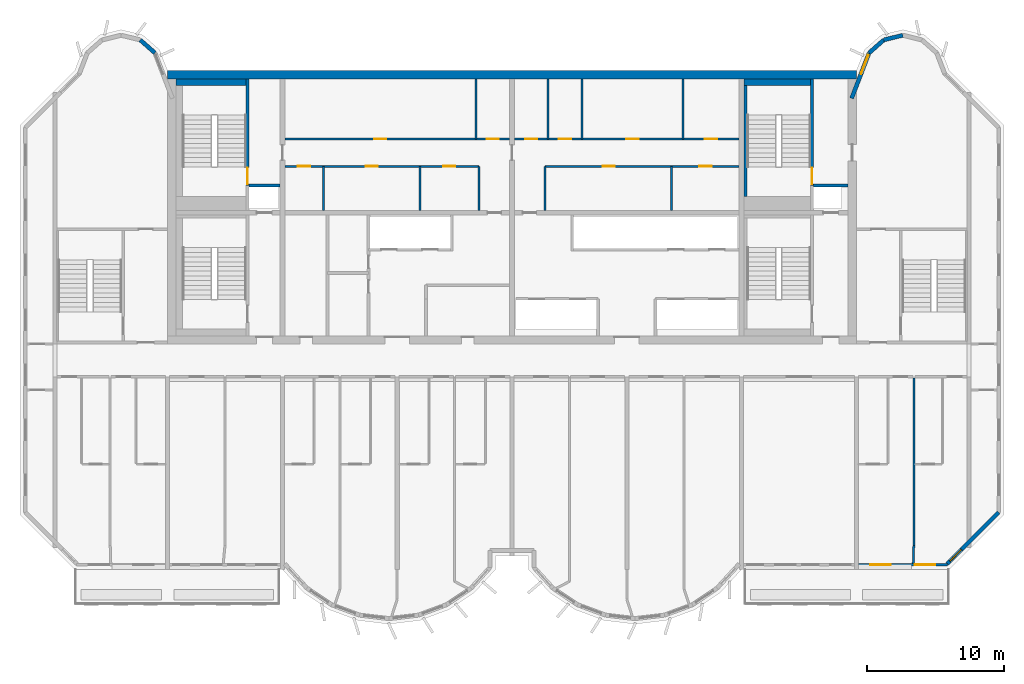
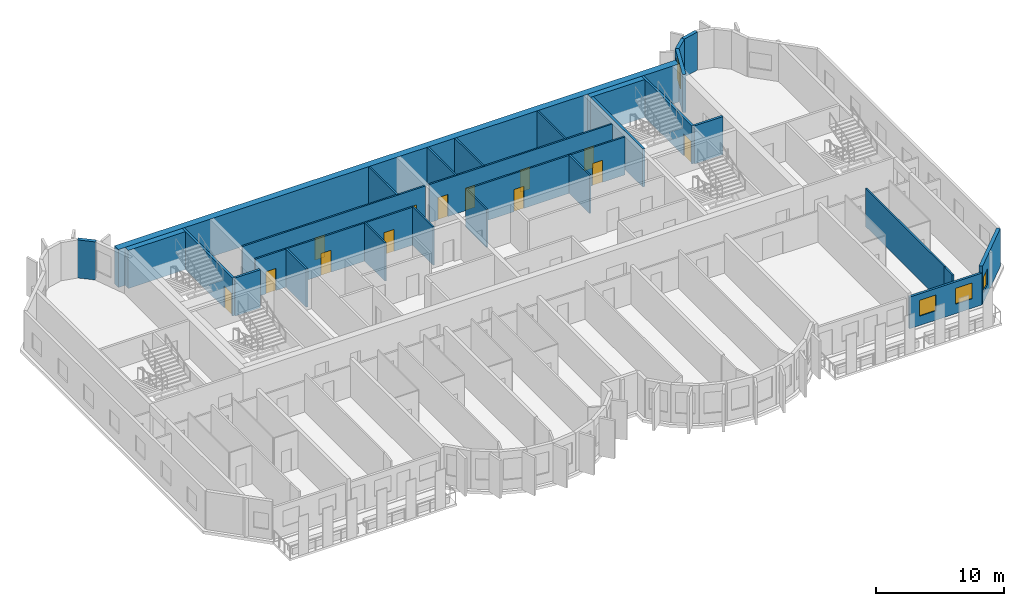
# One storey, part 7 of 11: 29 walls, 13 doors, 4 windows, 17 openings.
"""IFC4 building model written with IfcOpenShell, lengths in metres."""

from ifc_helpers import new_model, si_unit, direction, frame, frame_2d, origin, place, context, subcontext, project, spatial, rectangle, extrude, source, transform, mapped, material, layer, layer_set, type_object, element, fill, save


model = new_model("IFC4")

# Units and contexts
model_context = context("Model", 3, precision=1e-05, world=origin(), true_north=direction((0.0, 1.0)))
body_context = subcontext(model_context, "Body", "Model", "MODEL_VIEW")
ifc_project = project(units=[si_unit("LENGTHUNIT", "METRE"), si_unit("AREAUNIT", "SQUARE_METRE"), si_unit("VOLUMEUNIT", "CUBIC_METRE"), si_unit("PLANEANGLEUNIT", "RADIAN"), si_unit("MASSUNIT", "GRAM", prefix="KILO")], contexts=[model_context])

# Site, building, storey
site_placement = place(None, origin())
site = spatial("IfcSite", under=ifc_project, at=site_placement, CompositionType="ELEMENT")
building_placement = place(site_placement, origin())
building = spatial("IfcBuilding", under=site, at=building_placement, Name="Vanashikhar Sky Hotel", CompositionType="ELEMENT")
storey_placement = place(building_placement, frame((0.0, 0.0, 245.199951171875)))
storey = spatial("IfcBuildingStorey", under=building, at=storey_placement, Name="L59", CompositionType="ELEMENT", Elevation=245.199951171875)

# Wall
ifc_material_1 = material(Name="Concrete M60", Category="concrete")
ifc_layer_1 = layer(ifc_material_1, 0.60009765625)
ifc_layer_set_1 = layer_set([ifc_layer_1], Name="RC core shell wall 600 Concrete M60")
wall_type_1 = type_object("IfcWallType", Name="RC core shell wall 600 Concrete M60", PredefinedType="SHEAR", material=ifc_layer_set_1)
shared_shape_1 = source(origin(), body_context, "Body", "SweptSolid", [
    extrude(rectangle(XDim=50.400146484375, YDim=0.60009765625, at=frame_2d((25.2001953125, 0.0))), origin(), (0.0, 0.0, 1.0), 3.6201171875),
])
wall_1_placement = place(storey_placement, frame((25.199951171875, 41.699951171875, 0.0), z_axis=(0.0, 0.0, 1.0), x_axis=(1.0, 0.0, 0.0)))
element("IfcWall", 1, at=wall_1_placement, inside=storey, type_object=wall_type_1, Name="KW-L59-KN", PredefinedType="SHEAR", context=body_context, shape_type="MappedRepresentation", body=[
    mapped(shared_shape_1, transform((0.0, 0.0, 0.0), scale=1.0)),
])

# Wall, openings, windows
ifc_material_2 = material(Name="Concrete M50", Category="concrete")
ifc_layer_2 = layer(ifc_material_2, 0.199951171875)
ifc_layer_set_2 = layer_set([ifc_layer_2], Name="Front window wall 200")
wall_type_2 = type_object("IfcWallType", Name="Front window wall 200", PredefinedType="SOLIDWALL", material=ifc_layer_set_2)
shared_shape_2 = source(origin(), body_context, "Body", "SweptSolid", [
    extrude(rectangle(XDim=6.5048828125, YDim=0.199951171875, at=frame_2d((3.25244140625, 0.0))), origin(), (0.0, 0.0, 1.0), 3.02001953125),
])
wall_2_placement = place(storey_placement, frame((75.75, 5.85009765625, 0.0), z_axis=(0.0, 0.0, 1.0), x_axis=(1.0, 0.0, 0.0)))
wall_2 = element("IfcWall", 2, at=wall_2_placement, inside=storey, type_object=wall_type_2, Name="Front window wall", PredefinedType="SOLIDWALL", context=body_context, shape_type="MappedRepresentation", body=[
    mapped(shared_shape_2, transform((0.0, 0.0, 0.0), scale=1.0)),
])
shared_shape_3 = source(origin(), body_context, "Body", "SweptSolid", [
    extrude(rectangle(XDim=1.5, YDim=1.5, at=frame_2d((0.75, 0.75))), frame((0.0, 0.10986328125, 0.0), z_axis=(0.0, -1.0, 0.0), x_axis=(1.0, 0.0, 0.0)), (0.0, 0.0, 1.0), 0.219970703125),
])
opening_1_placement = place(wall_2_placement, frame((0.876220703125, 0.0, 0.89990234375)))
opening_1 = element("IfcOpeningElement", 3, at=opening_1_placement, cuts=wall_2, Name="Opening WN-1", PredefinedType="OPENING", context=body_context, shape_type="MappedRepresentation", body=[
    mapped(shared_shape_3, transform((0.0, 0.0, 0.0), scale=1.0)),
])
opening_2_placement = place(wall_2_placement, frame((4.128662109375, 0.0, 0.89990234375)))
opening_2 = element("IfcOpeningElement", 4, at=opening_2_placement, cuts=wall_2, Name="Opening WN-1", PredefinedType="OPENING", context=body_context, shape_type="MappedRepresentation", body=[
    mapped(shared_shape_3, transform((0.0, 0.0, 0.0), scale=1.0)),
])
ifc_material_3 = material(Name="Glass", Category="glass")
window_type_1 = type_object("IfcWindowType", Name="Window 1500 x 1500", PartitioningType="SINGLE_PANEL", PredefinedType="WINDOW", material=ifc_material_3)
shared_shape_4 = source(origin(), body_context, "Body", "SweptSolid", [
    extrude(rectangle(XDim=1.5, YDim=1.5, at=frame_2d((0.75, 0.75))), frame((0.0, 0.030029296875, 0.0), z_axis=(0.0, -1.0, 0.0), x_axis=(1.0, 0.0, 0.0)), (0.0, 0.0, 1.0), 0.06005859375),
])
window_1_placement = place(opening_1_placement, origin())
window_1 = element("IfcWindow", 5, at=window_1_placement, inside=storey, type_object=window_type_1, Name="Window WN-1", OverallHeight=1.5, OverallWidth=1.5, PartitioningType="SINGLE_PANEL", PredefinedType="WINDOW", context=body_context, shape_type="MappedRepresentation", body=[
    mapped(shared_shape_4, transform((0.0, 0.0, 0.0), scale=1.0)),
])
fill(opening_1, window_1)
window_2_placement = place(opening_2_placement, origin())
window_2 = element("IfcWindow", 6, at=window_2_placement, inside=storey, type_object=window_type_1, Name="Window WN-1", OverallHeight=1.5, OverallWidth=1.5, PartitioningType="SINGLE_PANEL", PredefinedType="WINDOW", context=body_context, shape_type="MappedRepresentation", body=[
    mapped(shared_shape_4, transform((0.0, 0.0, 0.0), scale=1.0)),
])
fill(opening_2, window_2)

# Wall, opening, window
ifc_layer_3 = layer(ifc_material_2, 0.300048828125)
ifc_layer_set_3 = layer_set([ifc_layer_3], Name="Lobe wall 300")
wall_type_3 = type_object("IfcWallType", Name="Lobe wall 300", PredefinedType="SOLIDWALL", material=ifc_layer_set_3)
shared_shape_5 = source(origin(), body_context, "Body", "SweptSolid", [
    extrude(rectangle(XDim=5.32568359375, YDim=0.300048828125, at=frame_2d((2.662841796875, 0.0))), origin(), (0.0, 0.0, 1.0), 3.6201171875),
])
wall_3_placement = place(storey_placement, frame((82.234375, 5.89990234375, 0.0), z_axis=(0.0, 0.0, 1.0), x_axis=(0.707083859269, 0.707129702361, 0.0)))
wall_3 = element("IfcWall", 7, at=wall_3_placement, inside=storey, type_object=wall_type_3, Name="Corner wall", PredefinedType="SOLIDWALL", context=body_context, shape_type="MappedRepresentation", body=[
    mapped(shared_shape_5, transform((0.0, 0.0, 0.0), scale=1.0)),
])
shared_shape_6 = source(origin(), body_context, "Body", "SweptSolid", [
    extrude(rectangle(XDim=1.199951171875, YDim=1.5, at=frame_2d((0.60009765625, 0.75))), frame((0.0, 0.16015625, 0.0), z_axis=(0.0, -1.0, 0.0), x_axis=(1.0, 0.0, 0.0)), (0.0, 0.0, 1.0), 0.320068359375),
])
opening_3_placement = place(wall_3_placement, frame((0.29248046875, 0.0, 0.89990234375)))
opening_3 = element("IfcOpeningElement", 8, at=opening_3_placement, cuts=wall_3, Name="Opening WN-3", PredefinedType="OPENING", context=body_context, shape_type="MappedRepresentation", body=[
    mapped(shared_shape_6, transform((0.0, 0.0, 0.0), scale=1.0)),
])
window_type_2 = type_object("IfcWindowType", Name="Corridor end window 1200 x 1500", PartitioningType="SINGLE_PANEL", PredefinedType="WINDOW", material=ifc_material_3)
shared_shape_7 = source(origin(), body_context, "Body", "SweptSolid", [
    extrude(rectangle(XDim=1.199951171875, YDim=1.5, at=frame_2d((0.60009765625, 0.75))), frame((0.0, 0.030029296875, 0.0), z_axis=(0.0, -1.0, 0.0), x_axis=(1.0, 0.0, 0.0)), (0.0, 0.0, 1.0), 0.06005859375),
])
window_3_placement = place(opening_3_placement, origin())
window_3 = element("IfcWindow", 9, at=window_3_placement, inside=storey, type_object=window_type_2, Name="Window WN-3", OverallHeight=1.5, OverallWidth=1.199951171875, PartitioningType="SINGLE_PANEL", PredefinedType="WINDOW", context=body_context, shape_type="MappedRepresentation", body=[
    mapped(shared_shape_7, transform((0.0, 0.0, 0.0), scale=1.0)),
])
fill(opening_3, window_3)

# Walls
shared_shape_8 = source(origin(), body_context, "Body", "SweptSolid", [
    extrude(rectangle(XDim=1.43994140625, YDim=0.300048828125, at=frame_2d((0.719970703125, 0.0))), origin(), (0.0, 0.0, 1.0), 3.6201171875),
])
wall_4_placement = place(storey_placement, frame((77.602783203125, 44.2451171875, 0.0), z_axis=(0.0, 0.0, 1.0), x_axis=(-0.74957555648, -0.661918790432, 0.0)))
element("IfcWall", 10, at=wall_4_placement, inside=storey, type_object=wall_type_3, Name="Lobe wall", PredefinedType="SOLIDWALL", context=body_context, shape_type="MappedRepresentation", body=[
    mapped(shared_shape_8, transform((0.0, 0.0, 0.0), scale=1.0)),
])
shared_shape_9 = source(origin(), body_context, "Body", "SweptSolid", [
    extrude(rectangle(XDim=1.438720703125, YDim=0.300048828125, at=frame_2d((0.71923828125, 0.0))), origin(), (0.0, 0.0, 1.0), 3.6201171875),
])
wall_5_placement = place(storey_placement, frame((79.0, 44.588134765625, 0.0), z_axis=(0.0, 0.0, 1.0), x_axis=(-0.971161932466, -0.238420848351, 0.0)))
element("IfcWall", 11, at=wall_5_placement, inside=storey, type_object=wall_type_3, Name="Lobe wall", PredefinedType="SOLIDWALL", context=body_context, shape_type="MappedRepresentation", body=[
    mapped(shared_shape_9, transform((0.0, 0.0, 0.0), scale=1.0)),
])

# Wall, opening, window
shared_shape_10 = source(origin(), body_context, "Body", "SweptSolid", [
    extrude(rectangle(XDim=3.55908203125, YDim=0.300048828125, at=frame_2d((1.779541015625, 0.0))), origin(), (0.0, 0.0, 1.0), 3.6201171875),
])
wall_6_placement = place(storey_placement, frame((76.5234375, 43.2919921875, 0.0), z_axis=(0.0, 0.0, 1.0), x_axis=(-0.35779745313, -0.933799219604, 0.0)))
wall_6 = element("IfcWall", 12, at=wall_6_placement, inside=storey, type_object=wall_type_3, Name="Lobe wall", PredefinedType="SOLIDWALL", context=body_context, shape_type="MappedRepresentation", body=[
    mapped(shared_shape_10, transform((0.0, 0.0, 0.0), scale=1.0)),
])
shared_shape_11 = source(origin(), body_context, "Body", "SweptSolid", [
    extrude(rectangle(XDim=1.5, YDim=2.0, at=frame_2d((0.75, 1.0))), frame((0.0, 0.16015625, 0.0), z_axis=(0.0, -1.0, 0.0), x_axis=(1.0, 0.0, 0.0)), (0.0, 0.0, 1.0), 0.320068359375),
])
opening_4_placement = place(wall_6_placement, frame((0.156005859375, 0.0, 0.89990234375)))
opening_4 = element("IfcOpeningElement", 13, at=opening_4_placement, cuts=wall_6, Name="Opening WN-2", PredefinedType="OPENING", context=body_context, shape_type="MappedRepresentation", body=[
    mapped(shared_shape_11, transform((0.0, 0.0, 0.0), scale=1.0)),
])
window_type_3 = type_object("IfcWindowType", Name="Lobe window 1500 x 2000", PartitioningType="SINGLE_PANEL", PredefinedType="WINDOW", material=ifc_material_3)
shared_shape_12 = source(origin(), body_context, "Body", "SweptSolid", [
    extrude(rectangle(XDim=1.5, YDim=2.0, at=frame_2d((0.75, 1.0))), frame((0.0, 0.030029296875, 0.0), z_axis=(0.0, -1.0, 0.0), x_axis=(1.0, 0.0, 0.0)), (0.0, 0.0, 1.0), 0.06005859375),
])
window_4_placement = place(opening_4_placement, origin())
window_4 = element("IfcWindow", 14, at=window_4_placement, inside=storey, type_object=window_type_3, Name="Window WN-2", OverallHeight=2.0, OverallWidth=1.5, PartitioningType="SINGLE_PANEL", PredefinedType="WINDOW", context=body_context, shape_type="MappedRepresentation", body=[
    mapped(shared_shape_12, transform((0.0, 0.0, 0.0), scale=1.0)),
])
fill(opening_4, window_4)

# Walls
shared_shape_13 = source(origin(), body_context, "Body", "SweptSolid", [
    extrude(rectangle(XDim=1.440185546875, YDim=0.300048828125, at=frame_2d((0.72021484375, 0.0))), origin(), (0.0, 0.0, 1.0), 3.6201171875),
])
wall_7_placement = place(storey_placement, frame((24.276611328125, 43.2919921875, 0.0), z_axis=(0.0, 0.0, 1.0), x_axis=(-0.749649827867, 0.661834673902, 0.0)))
element("IfcWall", 15, at=wall_7_placement, inside=storey, type_object=wall_type_3, Name="Lobe wall", PredefinedType="SOLIDWALL", context=body_context, shape_type="MappedRepresentation", body=[
    mapped(shared_shape_13, transform((0.0, 0.0, 0.0), scale=1.0)),
])
ifc_material_4 = material(Name="Gypsum board partition")
ifc_layer_4 = layer(ifc_material_4, 0.14990234375)
ifc_layer_set_4 = layer_set([ifc_layer_4], Name="Service partition 150")
wall_type_4 = type_object("IfcWallType", Name="Service partition 150", PredefinedType="PARTITIONING", material=ifc_layer_set_4)
shared_shape_14 = source(origin(), body_context, "Body", "SweptSolid", [
    extrude(rectangle(XDim=3.22509765625, YDim=0.14990234375, at=frame_2d((1.612548828125, 0.0))), origin(), (0.0, 0.0, 1.0), 3.6201171875),
])
for number, where, z_axis, x_axis, name in (
    (16, (48.0, 31.77490234375, 0.0), (0.0, 0.0, 1.0), (0.0, 1.0, 0.0), "Service partition 150"),
    (17, (36.60498046875, 31.77490234375, 0.0), (0.0, 0.0, 1.0), (0.0, 1.0, 0.0), "Service partition 150"),
    (18, (43.679931640625, 31.77490234375, 0.0), (0.0, 0.0, 1.0), (0.0, 1.0, 0.0), "Service partition 150"),
    (19, (52.800048828125, 31.77490234375, 0.0), (0.0, 0.0, 1.0), (0.0, 1.0, 0.0), "Service partition 150"),
    (20, (62.072021484375, 31.77490234375, 0.0), (0.0, 0.0, 1.0), (0.0, 1.0, 0.0), "Service partition 150"),
):
    element("IfcWall", number, at=place(storey_placement, frame(where, z_axis=z_axis, x_axis=x_axis)), inside=storey, type_object=wall_type_4, Name=name, PredefinedType="PARTITIONING", context=body_context, shape_type="MappedRepresentation", body=[
        mapped(shared_shape_14, transform((0.0, 0.0, 0.0), scale=1.0)),
    ])

# Wall, openings, doors
shared_shape_15 = source(origin(), body_context, "Body", "SweptSolid", [
    extrude(rectangle(XDim=14.22509765625, YDim=0.14990234375, at=frame_2d((7.112548828125, 0.0))), origin(), (0.0, 0.0, 1.0), 3.6201171875),
])
wall_8_placement = place(storey_placement, frame((33.77490234375, 35.0, 0.0), z_axis=(0.0, 0.0, 1.0), x_axis=(1.0, 0.0, 0.0)))
wall_8 = element("IfcWall", 21, at=wall_8_placement, inside=storey, type_object=wall_type_4, Name="Service partition 150", PredefinedType="PARTITIONING", context=body_context, shape_type="MappedRepresentation", body=[
    mapped(shared_shape_15, transform((0.0, 0.0, 0.0), scale=1.0)),
])
shared_shape_16 = source(origin(), body_context, "Body", "SweptSolid", [
    extrude(rectangle(XDim=0.89990234375, YDim=2.10009765625, at=frame_2d((0.449951171875, 1.050048828125))), frame((0.0, 0.0849609375, 0.0), z_axis=(0.0, -1.0, 0.0), x_axis=(1.0, 0.0, 0.0)), (0.0, 0.0, 1.0), 0.169921875),
])
opening_5_placement = place(wall_8_placement, frame((0.965087890625, 0.0, 0.0)))
opening_5 = element("IfcOpeningElement", 22, at=opening_5_placement, cuts=wall_8, Name="Opening DC-4-A", PredefinedType="OPENING", context=body_context, shape_type="MappedRepresentation", body=[
    mapped(shared_shape_16, transform((0.0, 0.0, 0.0), scale=1.0)),
])
opening_6_placement = place(wall_8_placement, frame((5.9169921875, 0.0, 0.0)))
opening_6 = element("IfcOpeningElement", 23, at=opening_6_placement, cuts=wall_8, Name="Opening DC-4-A", PredefinedType="OPENING", context=body_context, shape_type="MappedRepresentation", body=[
    mapped(shared_shape_16, transform((0.0, 0.0, 0.0), scale=1.0)),
])
opening_7_placement = place(wall_8_placement, frame((11.576904296875, 0.0, 0.0)))
opening_7 = element("IfcOpeningElement", 24, at=opening_7_placement, cuts=wall_8, Name="Opening DC-4-A", PredefinedType="OPENING", context=body_context, shape_type="MappedRepresentation", body=[
    mapped(shared_shape_16, transform((0.0, 0.0, 0.0), scale=1.0)),
])
ifc_material_5 = material(Name="Steel", Category="steel")
door_type_1 = type_object("IfcDoorType", Name="Service door 900 FD60", OperationType="NOTDEFINED", PredefinedType="DOOR", material=ifc_material_5)
shared_shape_17 = source(origin(), body_context, "Body", "SweptSolid", [
    extrude(rectangle(XDim=0.89990234375, YDim=2.10009765625, at=frame_2d((0.449951171875, 1.050048828125))), frame((0.0, 0.02490234375, 0.0), z_axis=(0.0, -1.0, 0.0), x_axis=(1.0, 0.0, 0.0)), (0.0, 0.0, 1.0), 0.050048828125),
])
door_1_placement = place(opening_5_placement, origin())
door_1 = element("IfcDoor", 25, at=door_1_placement, inside=storey, type_object=door_type_1, Name="Service door 900 FD60", OperationType="SINGLE_SWING_LEFT", OverallHeight=2.10009765625, OverallWidth=0.89990234375, PredefinedType="DOOR", context=body_context, shape_type="MappedRepresentation", body=[
    mapped(shared_shape_17, transform((0.0, 0.0, 0.0), scale=1.0)),
])
fill(opening_5, door_1)
door_2_placement = place(opening_6_placement, origin())
door_2 = element("IfcDoor", 26, at=door_2_placement, inside=storey, type_object=door_type_1, Name="Service door 900 FD60", OperationType="SINGLE_SWING_LEFT", OverallHeight=2.10009765625, OverallWidth=0.89990234375, PredefinedType="DOOR", context=body_context, shape_type="MappedRepresentation", body=[
    mapped(shared_shape_17, transform((0.0, 0.0, 0.0), scale=1.0)),
])
fill(opening_6, door_2)
door_3_placement = place(opening_7_placement, origin())
door_3 = element("IfcDoor", 27, at=door_3_placement, inside=storey, type_object=door_type_1, Name="Service door 900 FD60", OperationType="SINGLE_SWING_LEFT", OverallHeight=2.10009765625, OverallWidth=0.89990234375, PredefinedType="DOOR", context=body_context, shape_type="MappedRepresentation", body=[
    mapped(shared_shape_17, transform((0.0, 0.0, 0.0), scale=1.0)),
])
fill(opening_7, door_3)

shared_shape_18 = source(origin(), body_context, "Body", "SweptSolid", [
    extrude(rectangle(XDim=16.4501953125, YDim=0.14990234375, at=frame_2d((8.22509765625, 0.0))), origin(), (0.0, 0.0, 1.0), 3.6201171875),
])
wall_9_placement = place(storey_placement, frame((33.77490234375, 37.0, 0.0), z_axis=(0.0, 0.0, 1.0), x_axis=(1.0, 0.0, 0.0)))
wall_9 = element("IfcWall", 28, at=wall_9_placement, inside=storey, type_object=wall_type_4, Name="Service partition 150", PredefinedType="PARTITIONING", context=body_context, shape_type="MappedRepresentation", body=[
    mapped(shared_shape_18, transform((0.0, 0.0, 0.0), scale=1.0)),
])
opening_8_placement = place(wall_9_placement, frame((6.541015625, 0.0, 0.0)))
opening_8 = element("IfcOpeningElement", 29, at=opening_8_placement, cuts=wall_9, Name="Opening DC-4-A", PredefinedType="OPENING", context=body_context, shape_type="MappedRepresentation", body=[
    mapped(shared_shape_16, transform((0.0, 0.0, 0.0), scale=1.0)),
])
opening_9_placement = place(wall_9_placement, frame((14.76611328125, 0.0, 0.0)))
opening_9 = element("IfcOpeningElement", 30, at=opening_9_placement, cuts=wall_9, Name="Opening DC-4-A", PredefinedType="OPENING", context=body_context, shape_type="MappedRepresentation", body=[
    mapped(shared_shape_16, transform((0.0, 0.0, 0.0), scale=1.0)),
])
door_4_placement = place(opening_8_placement, origin())
door_4 = element("IfcDoor", 31, at=door_4_placement, inside=storey, type_object=door_type_1, Name="Service door 900 FD60", OperationType="SINGLE_SWING_RIGHT", OverallHeight=2.10009765625, OverallWidth=0.89990234375, PredefinedType="DOOR", context=body_context, shape_type="MappedRepresentation", body=[
    mapped(shared_shape_17, transform((0.0, 0.0, 0.0), scale=1.0)),
])
fill(opening_8, door_4)
door_5_placement = place(opening_9_placement, origin())
door_5 = element("IfcDoor", 32, at=door_5_placement, inside=storey, type_object=door_type_1, Name="Service door 900 FD60", OperationType="SINGLE_SWING_LEFT", OverallHeight=2.10009765625, OverallWidth=0.89990234375, PredefinedType="DOOR", context=body_context, shape_type="MappedRepresentation", body=[
    mapped(shared_shape_17, transform((0.0, 0.0, 0.0), scale=1.0)),
])
fill(opening_9, door_5)

# Walls
shared_shape_19 = source(origin(), body_context, "Body", "SweptSolid", [
    extrude(rectangle(XDim=4.39990234375, YDim=0.14990234375, at=frame_2d((2.199951171875, 0.0))), origin(), (0.0, 0.0, 1.0), 3.6201171875),
])
for number, where, z_axis, x_axis, name in (
    (33, (47.758056640625, 37.0, 0.0), (0.0, 0.0, 1.0), (0.0, 1.0, 0.0), "Service partition 150"),
    (34, (62.912109375, 37.0, 0.0), (0.0, 0.0, 1.0), (0.0, 1.0, 0.0), "Service partition 150"),
    (35, (55.510009765625, 37.0, 0.0), (0.0, 0.0, 1.0), (0.0, 1.0, 0.0), "Service partition 150"),
    (36, (53.0419921875, 37.0, 0.0), (0.0, 0.0, 1.0), (0.0, 1.0, 0.0), "Service partition 150"),
):
    element("IfcWall", number, at=place(storey_placement, frame(where, z_axis=z_axis, x_axis=x_axis)), inside=storey, type_object=wall_type_4, Name=name, PredefinedType="PARTITIONING", context=body_context, shape_type="MappedRepresentation", body=[
        mapped(shared_shape_19, transform((0.0, 0.0, 0.0), scale=1.0)),
    ])

# Wall, openings, doors
shared_shape_20 = source(origin(), body_context, "Body", "SweptSolid", [
    extrude(rectangle(XDim=14.224853515625, YDim=0.14990234375, at=frame_2d((7.1123046875, 0.0))), origin(), (0.0, 0.0, 1.0), 3.6201171875),
])
wall_10_placement = place(storey_placement, frame((67.02490234375, 35.0, 0.0), z_axis=(0.0, 0.0, 1.0), x_axis=(-1.0, 0.0, 0.0)))
wall_10 = element("IfcWall", 37, at=wall_10_placement, inside=storey, type_object=wall_type_4, Name="Service partition 150", PredefinedType="PARTITIONING", context=body_context, shape_type="MappedRepresentation", body=[
    mapped(shared_shape_20, transform((0.0, 0.0, 0.0), scale=1.0)),
])
opening_10_placement = place(wall_10_placement, frame((2.02587890625, 0.0, 0.0)))
opening_10 = element("IfcOpeningElement", 38, at=opening_10_placement, cuts=wall_10, Name="Opening DC-4-A", PredefinedType="OPENING", context=body_context, shape_type="MappedRepresentation", body=[
    mapped(shared_shape_16, transform((0.0, 0.0, 0.0), scale=1.0)),
])
opening_11_placement = place(wall_10_placement, frame((9.10107421875, 0.0, 0.0)))
opening_11 = element("IfcOpeningElement", 39, at=opening_11_placement, cuts=wall_10, Name="Opening DC-4-A", PredefinedType="OPENING", context=body_context, shape_type="MappedRepresentation", body=[
    mapped(shared_shape_16, transform((0.0, 0.0, 0.0), scale=1.0)),
])
door_6_placement = place(opening_10_placement, origin())
door_6 = element("IfcDoor", 40, at=door_6_placement, inside=storey, type_object=door_type_1, Name="Service door 900 FD60", OperationType="SINGLE_SWING_LEFT", OverallHeight=2.10009765625, OverallWidth=0.89990234375, PredefinedType="DOOR", context=body_context, shape_type="MappedRepresentation", body=[
    mapped(shared_shape_17, transform((0.0, 0.0, 0.0), scale=1.0)),
])
fill(opening_10, door_6)
door_7_placement = place(opening_11_placement, origin())
door_7 = element("IfcDoor", 41, at=door_7_placement, inside=storey, type_object=door_type_1, Name="Service door 900 FD60", OperationType="SINGLE_SWING_RIGHT", OverallHeight=2.10009765625, OverallWidth=0.89990234375, PredefinedType="DOOR", context=body_context, shape_type="MappedRepresentation", body=[
    mapped(shared_shape_17, transform((0.0, 0.0, 0.0), scale=1.0)),
])
fill(opening_11, door_7)

shared_shape_21 = source(origin(), body_context, "Body", "SweptSolid", [
    extrude(rectangle(XDim=16.449951171875, YDim=0.14990234375, at=frame_2d((8.22509765625, 0.0))), origin(), (0.0, 0.0, 1.0), 3.6201171875),
])
wall_11_placement = place(storey_placement, frame((67.02490234375, 37.0, 0.0), z_axis=(0.0, 0.0, 1.0), x_axis=(-1.0, 0.0, 0.0)))
wall_11 = element("IfcWall", 42, at=wall_11_placement, inside=storey, type_object=wall_type_4, Name="Service partition 150", PredefinedType="PARTITIONING", context=body_context, shape_type="MappedRepresentation", body=[
    mapped(shared_shape_21, transform((0.0, 0.0, 0.0), scale=1.0)),
])
opening_12_placement = place(wall_11_placement, frame((1.60595703125, 0.0, 0.0)))
opening_12 = element("IfcOpeningElement", 43, at=opening_12_placement, cuts=wall_11, Name="Opening DC-4-A", PredefinedType="OPENING", context=body_context, shape_type="MappedRepresentation", body=[
    mapped(shared_shape_16, transform((0.0, 0.0, 0.0), scale=1.0)),
])
opening_13_placement = place(wall_11_placement, frame((7.364013671875, 0.0, 0.0)))
opening_13 = element("IfcOpeningElement", 44, at=opening_13_placement, cuts=wall_11, Name="Opening DC-4-A", PredefinedType="OPENING", context=body_context, shape_type="MappedRepresentation", body=[
    mapped(shared_shape_16, transform((0.0, 0.0, 0.0), scale=1.0)),
])
opening_14_placement = place(wall_11_placement, frame((12.299072265625, 0.0, 0.0)))
opening_14 = element("IfcOpeningElement", 45, at=opening_14_placement, cuts=wall_11, Name="Opening DC-4-A", PredefinedType="OPENING", context=body_context, shape_type="MappedRepresentation", body=[
    mapped(shared_shape_16, transform((0.0, 0.0, 0.0), scale=1.0)),
])
opening_15_placement = place(wall_11_placement, frame((14.76611328125, 0.0, 0.0)))
opening_15 = element("IfcOpeningElement", 46, at=opening_15_placement, cuts=wall_11, Name="Opening DC-4-A", PredefinedType="OPENING", context=body_context, shape_type="MappedRepresentation", body=[
    mapped(shared_shape_16, transform((0.0, 0.0, 0.0), scale=1.0)),
])
door_8_placement = place(opening_12_placement, origin())
door_8 = element("IfcDoor", 47, at=door_8_placement, inside=storey, type_object=door_type_1, Name="Service door 900 FD60", OperationType="SINGLE_SWING_RIGHT", OverallHeight=2.10009765625, OverallWidth=0.89990234375, PredefinedType="DOOR", context=body_context, shape_type="MappedRepresentation", body=[
    mapped(shared_shape_17, transform((0.0, 0.0, 0.0), scale=1.0)),
])
fill(opening_12, door_8)
door_9_placement = place(opening_13_placement, origin())
door_9 = element("IfcDoor", 48, at=door_9_placement, inside=storey, type_object=door_type_1, Name="Service door 900 FD60", OperationType="SINGLE_SWING_LEFT", OverallHeight=2.10009765625, OverallWidth=0.89990234375, PredefinedType="DOOR", context=body_context, shape_type="MappedRepresentation", body=[
    mapped(shared_shape_17, transform((0.0, 0.0, 0.0), scale=1.0)),
])
fill(opening_13, door_9)
door_10_placement = place(opening_14_placement, origin())
door_10 = element("IfcDoor", 49, at=door_10_placement, inside=storey, type_object=door_type_1, Name="Service door 900 FD60", OperationType="SINGLE_SWING_LEFT", OverallHeight=2.10009765625, OverallWidth=0.89990234375, PredefinedType="DOOR", context=body_context, shape_type="MappedRepresentation", body=[
    mapped(shared_shape_17, transform((0.0, 0.0, 0.0), scale=1.0)),
])
fill(opening_14, door_10)
door_11_placement = place(opening_15_placement, origin())
door_11 = element("IfcDoor", 50, at=door_11_placement, inside=storey, type_object=door_type_1, Name="Service door 900 FD60", OperationType="SINGLE_SWING_LEFT", OverallHeight=2.10009765625, OverallWidth=0.89990234375, PredefinedType="DOOR", context=body_context, shape_type="MappedRepresentation", body=[
    mapped(shared_shape_17, transform((0.0, 0.0, 0.0), scale=1.0)),
])
fill(opening_15, door_11)

# Wall
ifc_material_6 = material(Name="Concrete M40", Category="concrete")
ifc_layer_5 = layer(ifc_material_6, 0.199951171875)
ifc_layer_set_5 = layer_set([ifc_layer_5], Name="Shaft wall 200")
wall_type_5 = type_object("IfcWallType", Name="Shaft wall 200", PredefinedType="SOLIDWALL", material=ifc_layer_set_5)
shared_shape_22 = source(origin(), body_context, "Body", "SweptSolid", [
    extrude(rectangle(XDim=2.275146484375, YDim=0.199951171875, at=frame_2d((1.1376953125, 0.0))), origin(), (0.0, 0.0, 1.0), 3.6201171875),
])
wall_12_placement = place(storey_placement, frame((31.14990234375, 33.60009765625, 0.0), z_axis=(0.0, 0.0, 1.0), x_axis=(1.0, 0.0, 0.0)))
element("IfcWall", 51, at=wall_12_placement, inside=storey, type_object=wall_type_5, Name="Shaft wall 200", PredefinedType="SOLIDWALL", context=body_context, shape_type="MappedRepresentation", body=[
    mapped(shared_shape_22, transform((0.0, 0.0, 0.0), scale=1.0)),
])

# Wall, opening, door
ifc_layer_6 = layer(ifc_material_2, 0.199951171875)
ifc_layer_set_6 = layer_set([ifc_layer_6], Name="Stair wall 200")
wall_type_6 = type_object("IfcWallType", Name="Stair wall 200", PredefinedType="SOLIDWALL", material=ifc_layer_set_6)
shared_shape_23 = source(origin(), body_context, "Body", "SweptSolid", [
    extrude(rectangle(XDim=7.7998046875, YDim=0.199951171875, at=frame_2d((3.89990234375, 0.0))), origin(), (0.0, 0.0, 1.0), 3.6201171875),
])
wall_13_placement = place(storey_placement, frame((31.050048828125, 33.60009765625, 0.0), z_axis=(0.0, 0.0, 1.0), x_axis=(0.0, 1.0, 0.0)))
wall_13 = element("IfcWall", 52, at=wall_13_placement, inside=storey, type_object=wall_type_6, Name="Stair wall 200", PredefinedType="SOLIDWALL", context=body_context, shape_type="MappedRepresentation", body=[
    mapped(shared_shape_23, transform((0.0, 0.0, 0.0), scale=1.0)),
])
shared_shape_24 = source(origin(), body_context, "Body", "SweptSolid", [
    extrude(rectangle(XDim=1.199951171875, YDim=2.10009765625, at=frame_2d((0.60009765625, 1.050048828125))), frame((0.0, 0.10986328125, 0.0), z_axis=(0.0, -1.0, 0.0), x_axis=(1.0, 0.0, 0.0)), (0.0, 0.0, 1.0), 0.219970703125),
])
opening_16_placement = place(wall_13_placement, frame((0.10009765625, 0.0, 0.0)))
opening_16 = element("IfcOpeningElement", 53, at=opening_16_placement, cuts=wall_13, Name="Opening DC-1", PredefinedType="OPENING", context=body_context, shape_type="MappedRepresentation", body=[
    mapped(shared_shape_24, transform((0.0, 0.0, 0.0), scale=1.0)),
])
door_type_2 = type_object("IfcDoorType", Name="Stair door 1200 FD120", OperationType="NOTDEFINED", PredefinedType="DOOR", material=ifc_material_5)
shared_shape_25 = source(origin(), body_context, "Body", "SweptSolid", [
    extrude(rectangle(XDim=1.199951171875, YDim=2.10009765625, at=frame_2d((0.60009765625, 1.050048828125))), frame((0.0, 0.02490234375, 0.0), z_axis=(0.0, -1.0, 0.0), x_axis=(1.0, 0.0, 0.0)), (0.0, 0.0, 1.0), 0.050048828125),
])
door_12_placement = place(opening_16_placement, origin())
door_12 = element("IfcDoor", 54, at=door_12_placement, inside=storey, type_object=door_type_2, Name="Stair door 1200 FD120", OperationType="SINGLE_SWING_RIGHT", OverallHeight=2.10009765625, OverallWidth=1.199951171875, PredefinedType="DOOR", context=body_context, shape_type="MappedRepresentation", body=[
    mapped(shared_shape_25, transform((0.0, 0.0, 0.0), scale=1.0)),
])
fill(opening_16, door_12)

wall_14_placement = place(storey_placement, frame((72.35009765625, 33.60009765625, 0.0), z_axis=(0.0, 0.0, 1.0), x_axis=(0.0, 1.0, 0.0)))
wall_14 = element("IfcWall", 55, at=wall_14_placement, inside=storey, type_object=wall_type_6, Name="Stair wall 200", PredefinedType="SOLIDWALL", context=body_context, shape_type="MappedRepresentation", body=[
    mapped(shared_shape_23, transform((0.0, 0.0, 0.0), scale=1.0)),
])
opening_17_placement = place(wall_14_placement, frame((0.10009765625, 0.0, 0.0)))
opening_17 = element("IfcOpeningElement", 56, at=opening_17_placement, cuts=wall_14, Name="Opening DC-1", PredefinedType="OPENING", context=body_context, shape_type="MappedRepresentation", body=[
    mapped(shared_shape_24, transform((0.0, 0.0, 0.0), scale=1.0)),
])
door_13_placement = place(opening_17_placement, origin())
door_13 = element("IfcDoor", 57, at=door_13_placement, inside=storey, type_object=door_type_2, Name="Stair door 1200 FD120", OperationType="SINGLE_SWING_RIGHT", OverallHeight=2.10009765625, OverallWidth=1.199951171875, PredefinedType="DOOR", context=body_context, shape_type="MappedRepresentation", body=[
    mapped(shared_shape_25, transform((0.0, 0.0, 0.0), scale=1.0)),
])
fill(opening_17, door_13)

# Walls
shared_shape_26 = source(origin(), body_context, "Body", "SweptSolid", [
    extrude(rectangle(XDim=2.550048828125, YDim=0.199951171875, at=frame_2d((1.27490234375, 0.0))), origin(), (0.0, 0.0, 1.0), 3.6201171875),
])
wall_15_placement = place(storey_placement, frame((72.449951171875, 33.60009765625, 0.0), z_axis=(0.0, 0.0, 1.0), x_axis=(1.0, 0.0, 0.0)))
element("IfcWall", 58, at=wall_15_placement, inside=storey, type_object=wall_type_5, Name="Shaft wall 200", PredefinedType="SOLIDWALL", context=body_context, shape_type="MappedRepresentation", body=[
    mapped(shared_shape_26, transform((0.0, 0.0, 0.0), scale=1.0)),
])
ifc_layer_7 = layer(ifc_material_2, 0.5)
ifc_layer_set_7 = layer_set([ifc_layer_7], Name="Stair infill wall 500")
wall_type_7 = type_object("IfcWallType", Name="Stair infill wall 500", PredefinedType="SOLIDWALL", material=ifc_layer_set_7)
shared_shape_27 = source(origin(), body_context, "Body", "SweptSolid", [
    extrude(rectangle(XDim=5.14990234375, YDim=0.5, at=frame_2d((2.574951171875, 0.0))), origin(), (0.0, 0.0, 1.0), 3.6201171875),
])
wall_16_placement = place(storey_placement, frame((25.800048828125, 41.14990234375, 0.0), z_axis=(0.0, 0.0, 1.0), x_axis=(1.0, 0.0, 0.0)))
element("IfcWall", 59, at=wall_16_placement, inside=storey, type_object=wall_type_7, Name="Stair infill wall 500", PredefinedType="SOLIDWALL", context=body_context, shape_type="MappedRepresentation", body=[
    mapped(shared_shape_27, transform((0.0, 0.0, 0.0), scale=1.0)),
])
shared_shape_28 = source(origin(), body_context, "Body", "SweptSolid", [
    extrude(rectangle(XDim=4.875, YDim=0.5, at=frame_2d((2.4375, 0.0))), origin(), (0.0, 0.0, 1.0), 3.6201171875),
])
wall_17_placement = place(storey_placement, frame((67.375, 41.14990234375, 0.0), z_axis=(0.0, 0.0, 1.0), x_axis=(1.0, 0.0, 0.0)))
element("IfcWall", 60, at=wall_17_placement, inside=storey, type_object=wall_type_7, Name="Stair infill wall 500", PredefinedType="SOLIDWALL", context=body_context, shape_type="MappedRepresentation", body=[
    mapped(shared_shape_28, transform((0.0, 0.0, 0.0), scale=1.0)),
])
ifc_layer_8 = layer(ifc_material_2, 0.22509765625)
ifc_layer_set_8 = layer_set([ifc_layer_8], Name="Stair infill wall 225")
wall_type_8 = type_object("IfcWallType", Name="Stair infill wall 225", PredefinedType="SOLIDWALL", material=ifc_layer_set_8)
shared_shape_29 = source(origin(), body_context, "Body", "SweptSolid", [
    extrude(rectangle(XDim=8.099853515625, YDim=0.22509765625, at=frame_2d((4.0498046875, 0.0))), origin(), (0.0, 0.0, 1.0), 3.6201171875),
])
wall_18_placement = place(storey_placement, frame((67.487060546875, 32.800048828125, 0.0), z_axis=(0.0, 0.0, 1.0), x_axis=(0.0, 1.0, 0.0)))
element("IfcWall", 61, at=wall_18_placement, inside=storey, type_object=wall_type_8, Name="Stair infill wall 225", PredefinedType="SOLIDWALL", context=body_context, shape_type="MappedRepresentation", body=[
    mapped(shared_shape_29, transform((0.0, 0.0, 0.0), scale=1.0)),
])
ifc_material_7 = material(Name="Gypsum plasterboard partition")
ifc_layer_9 = layer(ifc_material_7, 0.14990234375)
ifc_layer_set_9 = layer_set([ifc_layer_9], Name="Corridor and demising partition 150")
wall_type_9 = type_object("IfcWallType", Name="Corridor and demising partition 150", PredefinedType="PARTITIONING", material=ifc_layer_set_9)
shared_shape_30 = source(origin(), body_context, "Body", "SweptSolid", [
    extrude(rectangle(XDim=12.27490234375, YDim=0.14990234375, at=frame_2d((6.137451171875, 0.0))), origin(), (0.0, 0.0, 1.0), 3.6201171875),
])
wall_19_placement = place(storey_placement, frame((79.800048828125, 7.25, 0.0), z_axis=(0.0, 0.0, 1.0), x_axis=(0.0, 1.0, 0.0)))
element("IfcWall", 62, at=wall_19_placement, inside=storey, type_object=wall_type_9, Name="W-L59-PW038", PredefinedType="PARTITIONING", context=body_context, shape_type="MappedRepresentation", body=[
    mapped(shared_shape_30, transform((0.0, 0.0, 0.0), scale=1.0)),
])
shared_shape_31 = source(origin(), body_context, "Body", "SweptSolid", [
    extrude(rectangle(XDim=1.30078125, YDim=0.14990234375, at=frame_2d((0.650390625, 0.0))), origin(), (0.0, 0.0, 1.0), 3.6201171875),
])
wall_20_placement = place(storey_placement, frame((79.759033203125, 5.949951171875, 0.0), z_axis=(0.0, 0.0, 1.0), x_axis=(0.031533606063, 0.999502692187, 0.0)))
element("IfcWall", 63, at=wall_20_placement, inside=storey, type_object=wall_type_9, Name="W-L59-PW038B0", PredefinedType="PARTITIONING", context=body_context, shape_type="MappedRepresentation", body=[
    mapped(shared_shape_31, transform((0.0, 0.0, 0.0), scale=1.0)),
])

save(model, "model.ifc")
